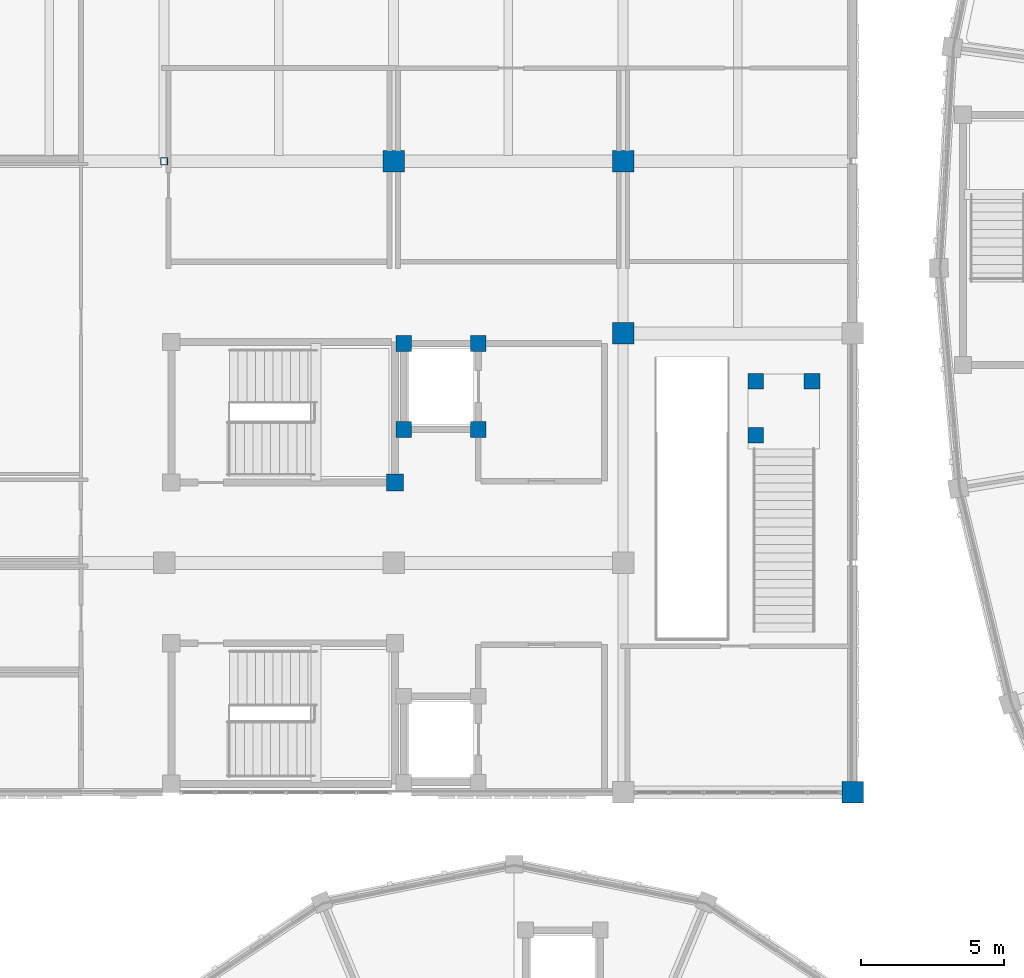
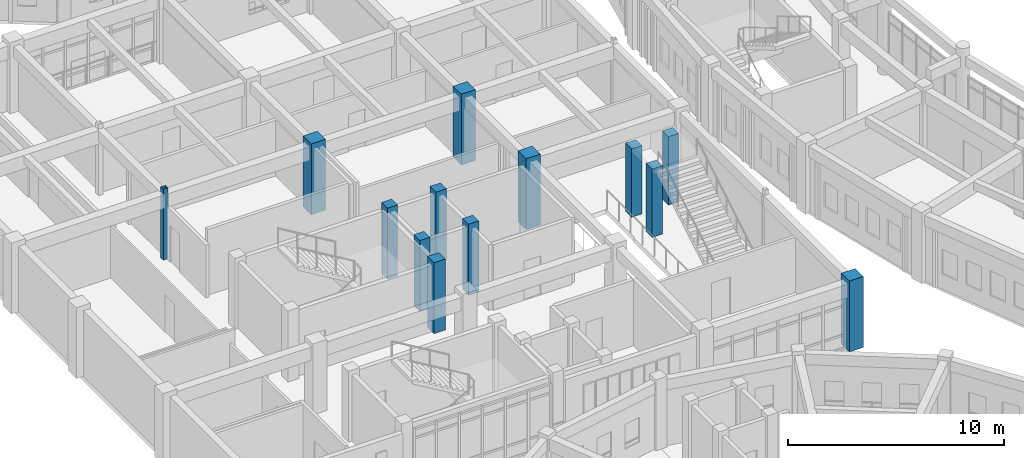
# One storey, part 2 of 159: 13 columns.
"""IFC4 building model written with IfcOpenShell, lengths in metres."""

from ifc_helpers import new_model, si_unit, direction, frame, origin, origin_2d, place, context, subcontext, project, spatial, rectangle, hollow_rectangle, extrude, material, material_profile, profile_set, type_object, element, save


model = new_model("IFC4")

# Units and contexts
model_context = context("Model", 3, precision=1e-05, world=origin(), true_north=direction((0.0, 1.0)))
body_context = subcontext(model_context, "Body", "Model", "MODEL_VIEW")
ifc_project = project(units=[si_unit("LENGTHUNIT", "METRE"), si_unit("AREAUNIT", "SQUARE_METRE"), si_unit("VOLUMEUNIT", "CUBIC_METRE"), si_unit("PLANEANGLEUNIT", "RADIAN"), si_unit("MASSUNIT", "GRAM", prefix="KILO")], contexts=[model_context])

# Site, building, storey
site_placement = place(None, origin())
site = spatial("IfcSite", under=ifc_project, at=site_placement, CompositionType="ELEMENT")
building_placement = place(site_placement, origin())
building = spatial("IfcBuilding", under=site, at=building_placement, Name="Celadon Cloister-Ring School", CompositionType="ELEMENT")
storey_placement = place(building_placement, frame((0.0, 0.0, 4.5)))
storey = spatial("IfcBuildingStorey", under=building, at=storey_placement, Name="L01", CompositionType="ELEMENT", Elevation=4.5)

# Columns
ifc_material_1 = material(Name="Concrete C40/50", Category="concrete")
ifc_material_profile_1 = material_profile(ifc_material_1, rectangle(XDim=0.75, YDim=0.75, at=origin_2d()), Name="RC750X750")
ifc_profile_set_1 = profile_set([ifc_material_profile_1], Name="Concrete C40/50")
column_type_1 = type_object("IfcColumnType", Name="CT-01", PredefinedType="COLUMN", material=ifc_profile_set_1)
for number, where, z_axis, x_axis, name in (
    (1, (16.0, 62.0, 0.0), (0.0, 0.0, 1.0), (1.0, 0.0, 0.0), "Column 1099"),
    (2, (24.0, 56.0, 0.0), (0.0, 0.0, 1.0), (1.0, 0.0, 0.0), "Column 1127"),
    (3, (24.0, 62.0, 0.0), (0.0, 0.0, 1.0), (1.0, 0.0, 0.0), "Column 1133"),
    (4, (32.0, 40.0, 0.0), (0.0, 0.0, 1.0), (1.0, 0.0, 0.0), "Column 1149"),
):
    element("IfcColumn", number, at=place(storey_placement, frame(where, z_axis=z_axis, x_axis=x_axis)), inside=storey, type_object=column_type_1, Name=name, PredefinedType="COLUMN", context=body_context, shape_type="SweptSolid", body=[
        extrude(rectangle(XDim=0.75, YDim=0.75, at=origin_2d()), origin(), (0.0, 0.0, 1.0), 4.0),
    ])
ifc_material_2 = material(Name="Concrete C40/50", Category="concrete")
ifc_material_profile_2 = material_profile(ifc_material_2, rectangle(XDim=0.60009765625, YDim=0.60009765625, at=origin_2d()), Name="RC600X600")
ifc_profile_set_2 = profile_set([ifc_material_profile_2], Name="Concrete C40/50")
column_type_2 = type_object("IfcColumnType", Name="CT-04", PredefinedType="COLUMN", material=ifc_profile_set_2)
column_1_placement = place(storey_placement, frame((16.050048828125, 50.800048828125, 0.0), z_axis=(0.0, 0.0, 1.0), x_axis=(1.0, 0.0, 0.0)))
element("IfcColumn", 5, at=column_1_placement, inside=storey, type_object=column_type_2, Name="Column 0148", PredefinedType="COLUMN", context=body_context, shape_type="SweptSolid", body=[
    extrude(rectangle(XDim=0.60009765625, YDim=0.60009765625, at=origin_2d()), origin(), (0.0, 0.0, 1.0), 4.0),
])
ifc_material_3 = material(Name="Concrete C40/50", Category="concrete")
ifc_material_profile_3 = material_profile(ifc_material_3, rectangle(XDim=0.550048828125, YDim=0.550048828125, at=origin_2d()), Name="RC550X550")
ifc_profile_set_3 = profile_set([ifc_material_profile_3], Name="Concrete C40/50")
column_type_3 = type_object("IfcColumnType", Name="CT-05", PredefinedType="COLUMN", material=ifc_profile_set_3)
for number, where, z_axis, x_axis, name in (
    (6, (28.6201171875, 54.330078125, 0.0), (0.0, 0.0, 1.0), (1.0, 0.0, 0.0), "Column 0195"),
    (7, (30.580078125, 54.330078125, 0.0), (0.0, 0.0, 1.0), (1.0, 0.0, 0.0), "Column 0197"),
    (8, (28.6201171875, 52.449951171875, 0.0), (0.0, 0.0, 1.0), (1.0, 0.0, 0.0), "Column 0199"),
):
    element("IfcColumn", number, at=place(storey_placement, frame(where, z_axis=z_axis, x_axis=x_axis)), inside=storey, type_object=column_type_3, Name=name, PredefinedType="COLUMN", context=body_context, shape_type="SweptSolid", body=[
        extrude(rectangle(XDim=0.550048828125, YDim=0.550048828125, at=origin_2d()), origin(), (0.0, 0.0, 1.0), 3.85009765625),
    ])
for number, where, z_axis, x_axis, name in (
    (9, (16.35009765625, 52.64990234375, 0.0), (0.0, 0.0, 1.0), (1.0, 0.0, 0.0), "Column 0237"),
    (10, (18.949951171875, 52.64990234375, 0.0), (0.0, 0.0, 1.0), (1.0, 0.0, 0.0), "Column 0243"),
    (11, (18.949951171875, 55.64990234375, 0.0), (0.0, 0.0, 1.0), (1.0, 0.0, 0.0), "Column 0249"),
    (12, (16.35009765625, 55.64990234375, 0.0), (0.0, 0.0, 1.0), (1.0, 0.0, 0.0), "Column 0255"),
):
    element("IfcColumn", number, at=place(storey_placement, frame(where, z_axis=z_axis, x_axis=x_axis)), inside=storey, type_object=column_type_3, Name=name, PredefinedType="COLUMN", context=body_context, shape_type="SweptSolid", body=[
        extrude(rectangle(XDim=0.550048828125, YDim=0.550048828125, at=origin_2d()), origin(), (0.0, 0.0, 1.0), 4.0),
    ])
ifc_material_4 = material(Name="Structural steel S355JR", Category="steel")
ifc_material_profile_4 = material_profile(ifc_material_4, hollow_rectangle(XDim=0.25, YDim=0.25, WallThickness=0.010009765625, at=origin_2d()), Name="HSS250X250X10")
ifc_profile_set_4 = profile_set([ifc_material_profile_4], Name="Structural steel S355JR")
column_type_4 = type_object("IfcColumnType", Name="CT-08", PredefinedType="COLUMN", material=ifc_profile_set_4)
column_2_placement = place(storey_placement, frame((8.0, 62.0, 0.0), z_axis=(0.0, 0.0, 1.0), x_axis=(1.0, 0.0, 0.0)))
element("IfcColumn", 13, at=column_2_placement, inside=storey, type_object=column_type_4, Name="Column 1184", PredefinedType="COLUMN", context=body_context, shape_type="SweptSolid", body=[
    extrude(hollow_rectangle(XDim=0.25, YDim=0.25, WallThickness=0.010009765625, at=origin_2d()), origin(), (0.0, 0.0, 1.0), 4.0),
])

save(model, "model.ifc")
